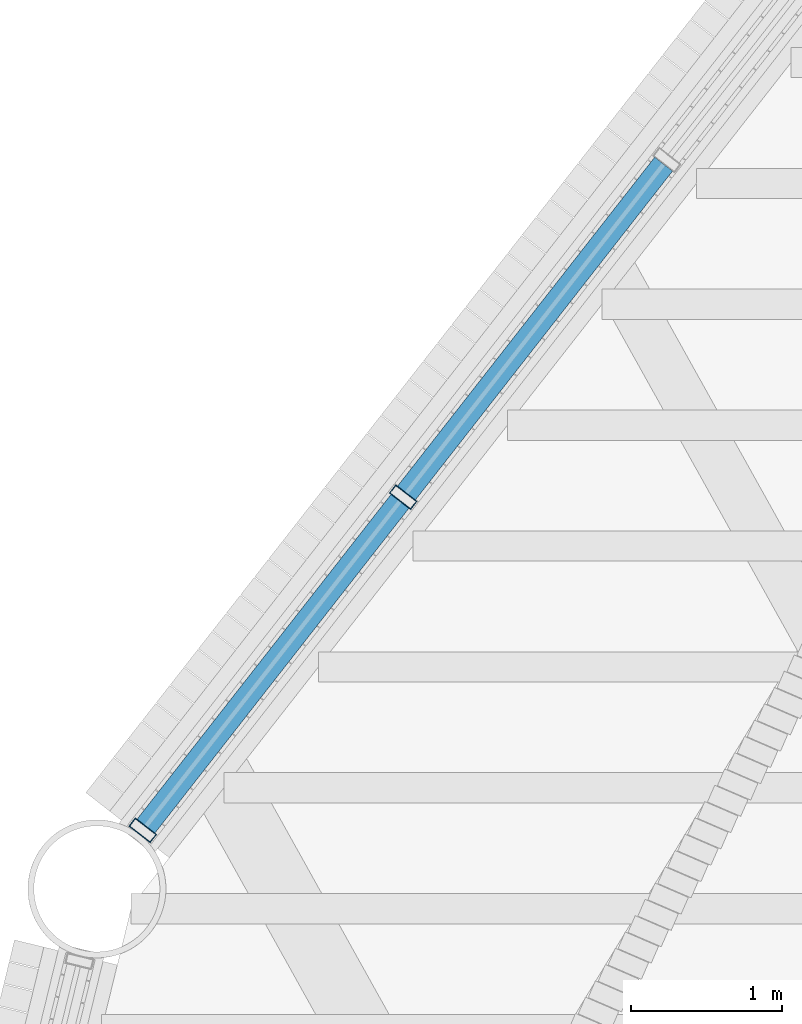
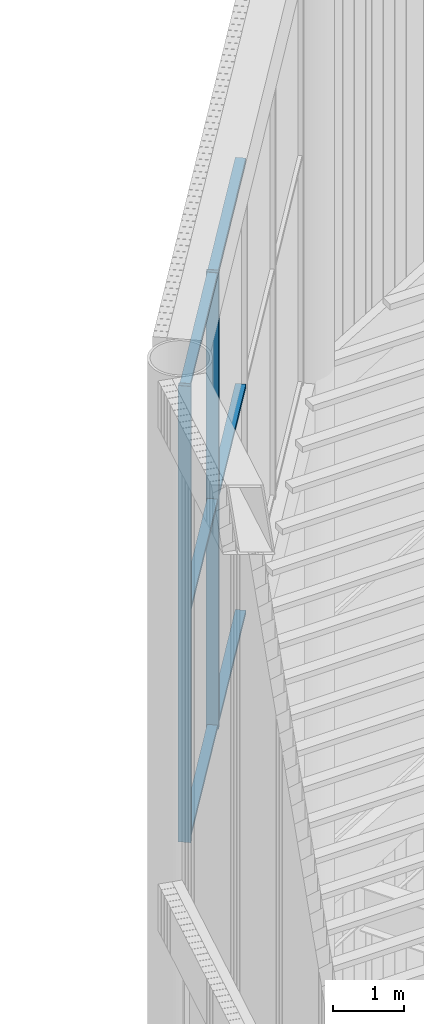
# One storey, part 43 of 117: 8 members, 1 element without a shape of its own.
"""IFC4 building model written with IfcOpenShell, lengths in metres."""

from ifc_helpers import new_model, si_unit, direction, frame, origin, origin_2d, place, context, subcontext, project, spatial, hollow_rectangle, extrude, material, layer, layer_set, material_profile, profile_set, type_object, element, aggregate, save


model = new_model("IFC4")

# Units and contexts
model_context = context("Model", 3, precision=1e-05, world=origin(), true_north=direction((0.0, 1.0)))
body_context = subcontext(model_context, "Body", "Model", "MODEL_VIEW")
ifc_project = project(units=[si_unit("LENGTHUNIT", "METRE"), si_unit("AREAUNIT", "SQUARE_METRE"), si_unit("VOLUMEUNIT", "CUBIC_METRE"), si_unit("PLANEANGLEUNIT", "RADIAN"), si_unit("MASSUNIT", "GRAM", prefix="KILO")], contexts=[model_context])

# Site, building, storey
site_placement = place(None, origin())
site = spatial("IfcSite", under=ifc_project, at=site_placement, CompositionType="ELEMENT")
building_placement = place(site_placement, origin())
building = spatial("IfcBuilding", under=site, at=building_placement, Name="Tarsis Ring Headquarters", CompositionType="ELEMENT")
storey_placement = place(building_placement, frame((0.0, 0.0, 403.60009765625)))
storey = spatial("IfcBuildingStorey", under=building, at=storey_placement, Name="L95", CompositionType="ELEMENT", Elevation=403.60009765625)

# Curtain wall, members
ifc_material_1 = material(Name="Aluminium curtain wall", Category="aluminium")
ifc_layer = layer(ifc_material_1, 0.179931640625)
ifc_layer_set = layer_set([ifc_layer], Name="Curtain wall crown glazing")
curtain_wall_type = type_object("IfcCurtainWallType", Name="Curtain wall crown glazing", PredefinedType="NOTDEFINED", material=ifc_layer_set)
curtain_wall_placement = place(storey_placement, origin())
curtain_wall = element("IfcCurtainWall", 1, at=curtain_wall_placement, inside=storey, type_object=curtain_wall_type, Name="Crown glazing U12", PredefinedType="NOTDEFINED")
ifc_material_2 = material(Name="Aluminium mullion", Category="aluminium")
ifc_material_profile_1 = material_profile(ifc_material_2, hollow_rectangle(XDim=0.179931640625, YDim=0.070068359375, WallThickness=0.0048828125, at=origin_2d()), Name="RHS 180x70x5")
ifc_profile_set_1 = profile_set([ifc_material_profile_1], Name="Aluminium mullion")
member_type_1 = type_object("IfcMemberType", Name="Crown glazing mullion RHS 180x70x5", PredefinedType="MULLION", material=ifc_profile_set_1)
member_1_placement = place(storey_placement, frame((-24.1142578125, 15.259033203125, 14.39990234375), z_axis=(0.0, 0.0, 1.0), x_axis=(0.787755298297, -0.615988303465, 0.0)))
member_1 = element("IfcMember", 2, at=member_1_placement, type_object=member_type_1, Name="CW-C mullion 4", PredefinedType="MULLION", context=body_context, shape_type="SweptSolid", body=[
    extrude(hollow_rectangle(XDim=0.179931640625, YDim=0.070068359375, WallThickness=0.0048828125, at=origin_2d()), origin(), (0.0, 0.0, 1.0), 7.800048828125),
])
member_2_placement = place(storey_placement, frame((-25.838134765625, 13.054443359375, 14.39990234375), z_axis=(0.0, 0.0, 1.0), x_axis=(0.787755298297, -0.615988303465, 0.0)))
member_2 = element("IfcMember", 3, at=member_2_placement, type_object=member_type_1, Name="CW-C mullion 5", PredefinedType="MULLION", context=body_context, shape_type="SweptSolid", body=[
    extrude(hollow_rectangle(XDim=0.179931640625, YDim=0.070068359375, WallThickness=0.0048828125, at=origin_2d()), origin(), (0.0, 0.0, 1.0), 7.800048828125),
])
ifc_material_3 = material(Name="Aluminium transom", Category="aluminium")
ifc_material_profile_2 = material_profile(ifc_material_3, hollow_rectangle(XDim=0.14990234375, YDim=0.070068359375, WallThickness=0.0048828125, at=origin_2d()), Name="RHS 150x70x5")
ifc_profile_set_2 = profile_set([ifc_material_profile_2], Name="Aluminium transom")
member_type_2 = type_object("IfcMemberType", Name="Crown glazing transom RHS 150x70x5", PredefinedType="USERDEFINED", material=ifc_profile_set_2)
member_3_placement = place(storey_placement, frame((-22.390380859375, 17.4638671875, 14.434814453125), z_axis=(-0.615962834743, -0.787775212999, 0.0), x_axis=(0.787775212999, -0.615962834743, 0.0)))
member_3 = element("IfcMember", 4, at=member_3_placement, type_object=member_type_2, Name="CW-C transom 3.1", ObjectType="TRANSOM", PredefinedType="USERDEFINED", context=body_context, shape_type="SweptSolid", body=[
    extrude(hollow_rectangle(XDim=0.14990234375, YDim=0.070068359375, WallThickness=0.0048828125, at=origin_2d()), origin(), (0.0, 0.0, 1.0), 2.763671875),
])
member_4_placement = place(storey_placement, frame((-22.390380859375, 17.4638671875, 18.2998046875), z_axis=(-0.615962834743, -0.787775212999, 0.0), x_axis=(0.787775212999, -0.615962834743, 0.0)))
member_4 = element("IfcMember", 5, at=member_4_placement, type_object=member_type_2, Name="CW-C transom 3.2", ObjectType="TRANSOM", PredefinedType="USERDEFINED", context=body_context, shape_type="SweptSolid", body=[
    extrude(hollow_rectangle(XDim=0.14990234375, YDim=0.070068359375, WallThickness=0.0048828125, at=origin_2d()), origin(), (0.0, 0.0, 1.0), 2.763671875),
])
member_5_placement = place(storey_placement, frame((-22.390380859375, 17.4638671875, 22.164794921875), z_axis=(-0.615962834743, -0.787775212999, 0.0), x_axis=(0.787775212999, -0.615962834743, 0.0)))
member_5 = element("IfcMember", 6, at=member_5_placement, type_object=member_type_2, Name="CW-C transom 3.3", ObjectType="TRANSOM", PredefinedType="USERDEFINED", context=body_context, shape_type="SweptSolid", body=[
    extrude(hollow_rectangle(XDim=0.14990234375, YDim=0.070068359375, WallThickness=0.0048828125, at=origin_2d()), origin(), (0.0, 0.0, 1.0), 2.763671875),
])
member_6_placement = place(storey_placement, frame((-24.1357421875, 15.2314453125, 14.434814453125), z_axis=(-0.616025955312, -0.787725854839, 0.0), x_axis=(0.787725854839, -0.616025955312, 0.0)))
member_6 = element("IfcMember", 7, at=member_6_placement, type_object=member_type_2, Name="CW-C transom 4.1", ObjectType="TRANSOM", PredefinedType="USERDEFINED", context=body_context, shape_type="SweptSolid", body=[
    extrude(hollow_rectangle(XDim=0.14990234375, YDim=0.070068359375, WallThickness=0.0048828125, at=origin_2d()), origin(), (0.0, 0.0, 1.0), 2.728515625),
])
member_7_placement = place(storey_placement, frame((-24.1357421875, 15.2314453125, 18.2998046875), z_axis=(-0.616025955312, -0.787725854839, 0.0), x_axis=(0.787725854839, -0.616025955312, 0.0)))
member_7 = element("IfcMember", 8, at=member_7_placement, type_object=member_type_2, Name="CW-C transom 4.2", ObjectType="TRANSOM", PredefinedType="USERDEFINED", context=body_context, shape_type="SweptSolid", body=[
    extrude(hollow_rectangle(XDim=0.14990234375, YDim=0.070068359375, WallThickness=0.0048828125, at=origin_2d()), origin(), (0.0, 0.0, 1.0), 2.728515625),
])
member_8_placement = place(storey_placement, frame((-24.1357421875, 15.2314453125, 22.164794921875), z_axis=(-0.616025955312, -0.787725854839, 0.0), x_axis=(0.787725854839, -0.616025955312, 0.0)))
member_8 = element("IfcMember", 9, at=member_8_placement, type_object=member_type_2, Name="CW-C transom 4.3", ObjectType="TRANSOM", PredefinedType="USERDEFINED", context=body_context, shape_type="SweptSolid", body=[
    extrude(hollow_rectangle(XDim=0.14990234375, YDim=0.070068359375, WallThickness=0.0048828125, at=origin_2d()), origin(), (0.0, 0.0, 1.0), 2.728515625),
])
aggregate(curtain_wall, [member_1, member_2, member_3, member_4, member_5, member_6, member_7, member_8])

save(model, "model.ifc")
